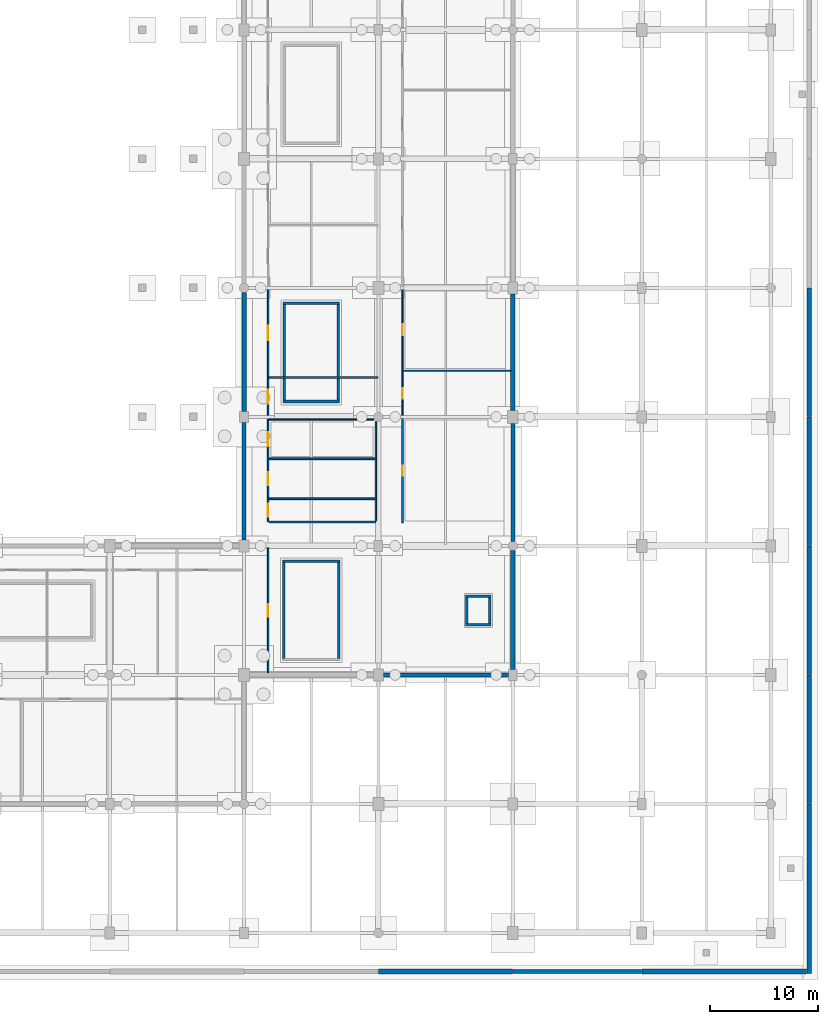
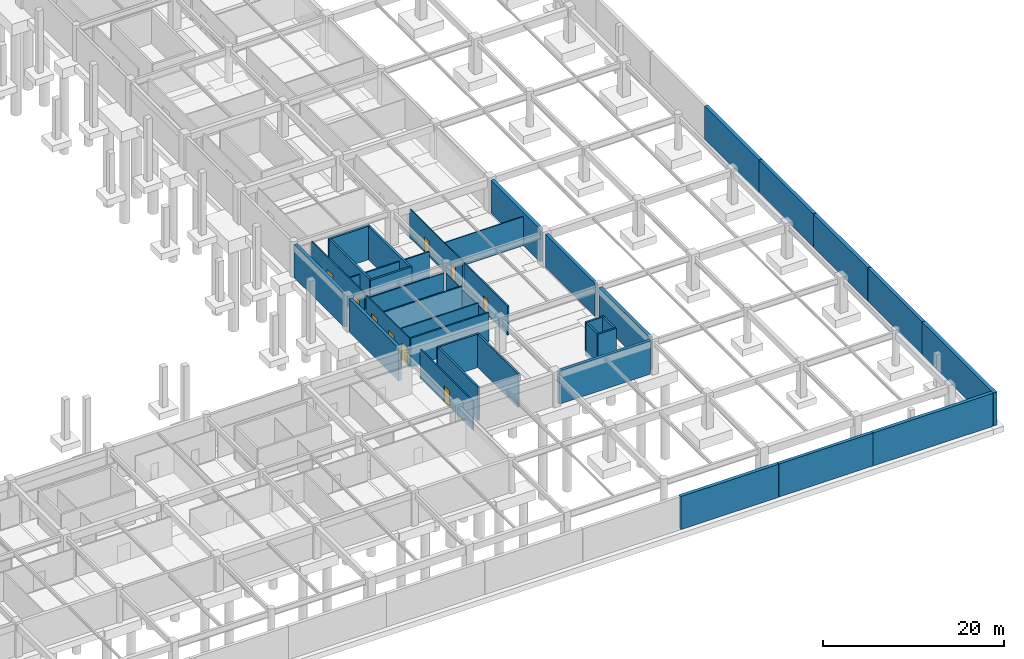
# One storey, part 31 of 56: 37 walls, 9 doors, 9 openings.
"""IFC4 building model written with IfcOpenShell, lengths in metres."""

from ifc_helpers import new_model, si_unit, direction, frame, frame_2d, origin, place, context, subcontext, project, spatial, rectangle, extrude, material, layer, layer_set, type_object, element, fill, save


model = new_model("IFC4")

# Units and contexts
model_context = context("Model", 3, precision=1e-05, world=origin(), true_north=direction((0.0, 1.0)))
body_context = subcontext(model_context, "Body", "Model", "MODEL_VIEW")
ifc_project = project(units=[si_unit("LENGTHUNIT", "METRE"), si_unit("AREAUNIT", "SQUARE_METRE"), si_unit("VOLUMEUNIT", "CUBIC_METRE"), si_unit("PLANEANGLEUNIT", "RADIAN"), si_unit("MASSUNIT", "GRAM", prefix="KILO")], contexts=[model_context])

# Site, building, storey
site_placement = place(None, origin())
site = spatial("IfcSite", under=ifc_project, at=site_placement, CompositionType="ELEMENT")
building_placement = place(site_placement, origin())
building = spatial("IfcBuilding", under=site, at=building_placement, Name="Kazenohara Klinker Stadium", CompositionType="ELEMENT")
storey_placement = place(building_placement, frame((0.0, 0.0, -4.800048828125)))
storey = spatial("IfcBuildingStorey", under=building, at=storey_placement, Name="B01", CompositionType="ELEMENT", Elevation=-4.800048828125)

# Walls
ifc_material_1 = material(Name="Concrete C40/50", Category="concrete")
ifc_layer_1 = layer(ifc_material_1, 0.39990234375)
ifc_layer_set_1 = layer_set([ifc_layer_1], Name="Concrete C40/50")
wall_type_1 = type_object("IfcWallType", Name="WAL-B01-PLINTH400", PredefinedType="USERDEFINED", material=ifc_layer_set_1)
for number, where, z_axis, x_axis, name in (
    (1, (227.580078125, 12.02001953125, 0.0), (0.0, 0.0, 1.0), (0.0, 1.0, 0.0), "Street plinth retaining wall RW04 East-02"),
    (2, (227.580078125, 36.02001953125, 0.0), (0.0, 0.0, 1.0), (0.0, 1.0, 0.0), "Street plinth retaining wall RW04 East-04"),
    (3, (200.02001953125, -3.580078125, 0.0), (0.0, 0.0, 1.0), (1.0, 0.0, 0.0), "Street plinth retaining wall RW04 South-17"),
):
    element("IfcWall", number, at=place(storey_placement, frame(where, z_axis=z_axis, x_axis=x_axis)), inside=storey, type_object=wall_type_1, Name=name, ObjectType="RETAINING WALL", PredefinedType="USERDEFINED", context=body_context, shape_type="SweptSolid", body=[
        extrude(rectangle(XDim=11.9599609375, YDim=0.39990234375, at=frame_2d((5.97998046875, 0.0))), origin(), (0.0, 0.0, 1.0), 4.4599609375),
    ])
ifc_layer_2 = layer(ifc_material_1, 0.43994140625)
ifc_layer_set_2 = layer_set([ifc_layer_2], Name="Concrete C40/50")
wall_type_2 = type_object("IfcWallType", Name="WAL-B01-PLINTH440", PredefinedType="USERDEFINED", material=ifc_layer_set_2)
wall_1_placement = place(storey_placement, frame((227.580078125, -3.780029296875, 0.0), z_axis=(0.0, 0.0, 1.0), x_axis=(0.0, 1.0, 0.0)))
element("IfcWall", 4, at=wall_1_placement, inside=storey, type_object=wall_type_2, Name="Street plinth retaining wall RW03 East-01", ObjectType="RETAINING WALL", PredefinedType="USERDEFINED", context=body_context, shape_type="SweptSolid", body=[
    extrude(rectangle(XDim=15.760009765625, YDim=0.43994140625, at=frame_2d((7.8798828125, 0.0))), origin(), (0.0, 0.0, 1.0), 4.4599609375),
])
for number, where, z_axis, x_axis, name in (
    (5, (227.580078125, 24.02001953125, 0.0), (0.0, 0.0, 1.0), (0.0, 1.0, 0.0), "Street plinth retaining wall RW03 East-03"),
    (6, (227.580078125, 48.02001953125, 0.0), (0.0, 0.0, 1.0), (0.0, 1.0, 0.0), "Street plinth retaining wall RW03 East-05"),
):
    element("IfcWall", number, at=place(storey_placement, frame(where, z_axis=z_axis, x_axis=x_axis)), inside=storey, type_object=wall_type_2, Name=name, ObjectType="RETAINING WALL", PredefinedType="USERDEFINED", context=body_context, shape_type="SweptSolid", body=[
        extrude(rectangle(XDim=11.9599609375, YDim=0.43994140625, at=frame_2d((5.97998046875, 0.0))), origin(), (0.0, 0.0, 1.0), 4.4599609375),
    ])
wall_2_placement = place(storey_placement, frame((187.52001953125, -3.580078125, 0.0), z_axis=(0.0, 0.0, 1.0), x_axis=(1.0, 0.0, 0.0)))
element("IfcWall", 7, at=wall_2_placement, inside=storey, type_object=wall_type_2, Name="Street plinth retaining wall RW03 South-16", ObjectType="RETAINING WALL", PredefinedType="USERDEFINED", context=body_context, shape_type="SweptSolid", body=[
    extrude(rectangle(XDim=12.4599609375, YDim=0.43994140625, at=frame_2d((6.22998046875, 0.0))), origin(), (0.0, 0.0, 1.0), 4.4599609375),
])
wall_3_placement = place(storey_placement, frame((212.02001953125, -3.580078125, 0.0), z_axis=(0.0, 0.0, 1.0), x_axis=(1.0, 0.0, 0.0)))
element("IfcWall", 8, at=wall_3_placement, inside=storey, type_object=wall_type_2, Name="Street plinth retaining wall RW03 South-18", ObjectType="RETAINING WALL", PredefinedType="USERDEFINED", context=body_context, shape_type="SweptSolid", body=[
    extrude(rectangle(XDim=15.300048828125, YDim=0.43994140625, at=frame_2d((7.64990234375, 0.0))), origin(), (0.0, 0.0, 1.0), 4.4599609375),
])
ifc_layer_3 = layer(ifc_material_1, 0.3798828125)
ifc_layer_set_3 = layer_set([ifc_layer_3], Name="Concrete C40/50")
wall_type_3 = type_object("IfcWallType", Name="WAL-B01-RET380", PredefinedType="STANDARD", material=ifc_layer_set_3)
wall_4_placement = place(storey_placement, frame((175.0, 36.553955078125, 0.0), z_axis=(0.0, 0.0, 1.0), x_axis=(0.0, 1.0, 0.0)))
element("IfcWall", 9, at=wall_4_placement, inside=storey, type_object=wall_type_3, Name="Basement perimeter retaining wall RW02 Y-14-03", PredefinedType="STANDARD", context=body_context, shape_type="SweptSolid", body=[
    extrude(rectangle(XDim=10.942138671875, YDim=0.3798828125, at=frame_2d((5.47119140625, 0.0))), origin(), (0.0, 0.0, 1.0), 4.4599609375),
])
wall_5_placement = place(storey_placement, frame((187.9541015625, 24.0, 0.0), z_axis=(0.0, 0.0, 1.0), x_axis=(1.0, 0.0, 0.0)))
element("IfcWall", 10, at=wall_5_placement, inside=storey, type_object=wall_type_3, Name="Basement perimeter retaining wall RW02 X-15-02", PredefinedType="STANDARD", context=body_context, shape_type="SweptSolid", body=[
    extrude(rectangle(XDim=11.641845703125, YDim=0.3798828125, at=frame_2d((5.82080078125, 0.0))), origin(), (0.0, 0.0, 1.0), 4.4599609375),
])
wall_6_placement = place(storey_placement, frame((200.0, 36.428955078125, 0.0), z_axis=(0.0, 0.0, 1.0), x_axis=(0.0, 1.0, 0.0)))
element("IfcWall", 11, at=wall_6_placement, inside=storey, type_object=wall_type_3, Name="Basement perimeter retaining wall RW02 Y-16-03", PredefinedType="STANDARD", context=body_context, shape_type="SweptSolid", body=[
    extrude(rectangle(XDim=10.967041015625, YDim=0.3798828125, at=frame_2d((5.4833984375, 0.0))), origin(), (0.0, 0.0, 1.0), 4.4599609375),
])
ifc_layer_4 = layer(ifc_material_1, 0.419921875)
ifc_layer_set_4 = layer_set([ifc_layer_4], Name="Concrete C40/50")
wall_type_4 = type_object("IfcWallType", Name="WAL-B01-RET420", PredefinedType="STANDARD", material=ifc_layer_set_4)
for number, where, z_axis, x_axis, name in (
    (12, (175.0, 48.50390625, 0.0), (0.0, 0.0, 1.0), (0.0, 1.0, 0.0), "Basement perimeter retaining wall RW01 Y-14-04"),
    (13, (200.0, 24.50390625, 0.0), (0.0, 0.0, 1.0), (0.0, 1.0, 0.0), "Basement perimeter retaining wall RW01 Y-16-02"),
):
    element("IfcWall", number, at=place(storey_placement, frame(where, z_axis=z_axis, x_axis=x_axis)), inside=storey, type_object=wall_type_4, Name=name, PredefinedType="STANDARD", context=body_context, shape_type="SweptSolid", body=[
        extrude(rectangle(XDim=11.067138671875, YDim=0.419921875, at=frame_2d((5.53369140625, 0.0))), origin(), (0.0, 0.0, 1.0), 4.4599609375),
    ])
wall_7_placement = place(storey_placement, frame((200.0, 48.60400390625, 0.0), z_axis=(0.0, 0.0, 1.0), x_axis=(0.0, 1.0, 0.0)))
element("IfcWall", 14, at=wall_7_placement, inside=storey, type_object=wall_type_4, Name="Basement perimeter retaining wall RW01 Y-16-04", PredefinedType="STANDARD", context=body_context, shape_type="SweptSolid", body=[
    extrude(rectangle(XDim=10.842041015625, YDim=0.419921875, at=frame_2d((5.4208984375, 0.0))), origin(), (0.0, 0.0, 1.0), 4.4599609375),
])
ifc_layer_5 = layer(ifc_material_1, 0.22998046875)
ifc_layer_set_5 = layer_set([ifc_layer_5], Name="Concrete C40/50")
wall_type_5 = type_object("IfcWallType", Name="WAL-CORE-230", PredefinedType="SHEAR", material=ifc_layer_set_5)
wall_8_placement = place(storey_placement, frame((178.590087890625, 34.56494140625, 0.0), z_axis=(0.0, 0.0, 1.0), x_axis=(1.0, 0.0, 0.0)))
element("IfcWall", 15, at=wall_8_placement, inside=storey, type_object=wall_type_5, Name="Stairwell shear wall ST16 B01 North", PredefinedType="SHEAR", context=body_context, shape_type="SweptSolid", body=[
    extrude(rectangle(XDim=5.31982421875, YDim=0.22998046875, at=frame_2d((2.659912109375, 0.0))), origin(), (0.0, 0.0, 1.0), 4.5),
])
for number, where, z_axis, x_axis, name in (
    (16, (178.705078125, 25.550048828125, 0.0), (0.0, 0.0, 1.0), (0.0, 1.0, 0.0), "Stairwell shear wall ST16 B01 West"),
    (17, (183.794921875, 25.550048828125, 0.0), (0.0, 0.0, 1.0), (0.0, 1.0, 0.0), "Stairwell shear wall ST16 B01 East"),
):
    element("IfcWall", number, at=place(storey_placement, frame(where, z_axis=z_axis, x_axis=x_axis)), inside=storey, type_object=wall_type_5, Name=name, PredefinedType="SHEAR", context=body_context, shape_type="SweptSolid", body=[
        extrude(rectangle(XDim=8.89990234375, YDim=0.22998046875, at=frame_2d((4.449951171875, 0.0))), origin(), (0.0, 0.0, 1.0), 4.5),
    ])
for number, where, z_axis, x_axis, name in (
    (18, (195.6201171875, 28.68505859375, -0.64990234375), (0.0, 0.0, 1.0), (1.0, 0.0, 0.0), "Elevator shaft wall LP06 B01 South"),
    (19, (195.6201171875, 31.31494140625, -0.64990234375), (0.0, 0.0, 1.0), (1.0, 0.0, 0.0), "Elevator shaft wall LP06 B01 North"),
):
    element("IfcWall", number, at=place(storey_placement, frame(where, z_axis=z_axis, x_axis=x_axis)), inside=storey, type_object=wall_type_5, Name=name, PredefinedType="SHEAR", context=body_context, shape_type="SweptSolid", body=[
        extrude(rectangle(XDim=2.35986328125, YDim=0.22998046875, at=frame_2d((1.179931640625, 0.0))), origin(), (0.0, 0.0, 1.0), 4.5),
    ])
for number, where, z_axis, x_axis, name in (
    (20, (195.735107421875, 28.800048828125, -0.64990234375), (0.0, 0.0, 1.0), (0.0, 1.0, 0.0), "Elevator shaft wall LP06 B01 West"),
    (21, (197.864990234375, 28.800048828125, -0.64990234375), (0.0, 0.0, 1.0), (0.0, 1.0, 0.0), "Elevator shaft wall LP06 B01 East"),
):
    element("IfcWall", number, at=place(storey_placement, frame(where, z_axis=z_axis, x_axis=x_axis)), inside=storey, type_object=wall_type_5, Name=name, PredefinedType="SHEAR", context=body_context, shape_type="SweptSolid", body=[
        extrude(rectangle(XDim=2.39990234375, YDim=0.22998046875, at=frame_2d((1.199951171875, 0.0))), origin(), (0.0, 0.0, 1.0), 4.5),
    ])
ifc_layer_6 = layer(ifc_material_1, 0.25)
ifc_layer_set_6 = layer_set([ifc_layer_6], Name="Concrete C40/50")
wall_type_6 = type_object("IfcWallType", Name="WAL-CORE-250", PredefinedType="SHEAR", material=ifc_layer_set_6)
for number, where, z_axis, x_axis, name in (
    (22, (178.610107421875, 49.425048828125, 0.0), (0.0, 0.0, 1.0), (1.0, 0.0, 0.0), "Stairwell shear wall ST21 B01 South"),
    (23, (178.610107421875, 58.574951171875, 0.0), (0.0, 0.0, 1.0), (1.0, 0.0, 0.0), "Stairwell shear wall ST21 B01 North"),
):
    element("IfcWall", number, at=place(storey_placement, frame(where, z_axis=z_axis, x_axis=x_axis)), inside=storey, type_object=wall_type_6, Name=name, PredefinedType="SHEAR", context=body_context, shape_type="SweptSolid", body=[
        extrude(rectangle(XDim=5.27978515625, YDim=0.25, at=frame_2d((2.639892578125, 0.0))), origin(), (0.0, 0.0, 1.0), 4.5),
    ])
for number, where, z_axis, x_axis, name in (
    (24, (178.735107421875, 49.550048828125, 0.0), (0.0, 0.0, 1.0), (0.0, 1.0, 0.0), "Stairwell shear wall ST21 B01 West"),
    (25, (183.764892578125, 49.550048828125, 0.0), (0.0, 0.0, 1.0), (0.0, 1.0, 0.0), "Stairwell shear wall ST21 B01 East"),
):
    element("IfcWall", number, at=place(storey_placement, frame(where, z_axis=z_axis, x_axis=x_axis)), inside=storey, type_object=wall_type_6, Name=name, PredefinedType="SHEAR", context=body_context, shape_type="SweptSolid", body=[
        extrude(rectangle(XDim=8.89990234375, YDim=0.25, at=frame_2d((4.449951171875, 0.0))), origin(), (0.0, 0.0, 1.0), 4.5),
    ])
ifc_material_2 = material(Name="Fire-rated gypsum board on acoustic studs", Category="gypsum")
ifc_layer_7 = layer(ifc_material_2, 0.110107421875)
ifc_layer_set_7 = layer_set([ifc_layer_7], Name="Fire-rated gypsum board on acoustic studs")
wall_type_7 = type_object("IfcWallType", Name="WAL-INT-P110", PredefinedType="PARTITIONING", material=ifc_layer_set_7)
wall_9_placement = place(storey_placement, frame((177.31494140625, 47.760009765625, 0.0), z_axis=(0.0, 0.0, 1.0), x_axis=(1.0, 0.0, 0.0)))
element("IfcWall", 26, at=wall_9_placement, inside=storey, type_object=wall_type_7, Name="Interior partition wall PT01 SPC-B01-14-03-1-2", PredefinedType="PARTITIONING", context=body_context, shape_type="SweptSolid", body=[
    extrude(rectangle(XDim=9.756103515625, YDim=0.110107421875, at=frame_2d((4.8779296875, 0.0))), origin(), (0.0, 0.0, 1.0), 3.52001953125),
])

# Wall, openings, doors
wall_10_placement = place(storey_placement, frame((189.739990234375, 48.159912109375, 0.0), z_axis=(0.0, 0.0, 1.0), x_axis=(0.0, 1.0, 0.0)))
wall_10 = element("IfcWall", 27, at=wall_10_placement, inside=storey, type_object=wall_type_7, Name="Interior partition wall PT01 SPC-B01-15-04-1-1", PredefinedType="PARTITIONING", context=body_context, shape_type="SweptSolid", body=[
    extrude(rectangle(XDim=11.68017578125, YDim=0.110107421875, at=frame_2d((5.840087890625, 0.0))), origin(), (0.0, 0.0, 1.0), 3.920166015625),
])
opening_1_placement = place(wall_10_placement, frame((2.517333984375, 0.0, 0.0), z_axis=(0.0, 0.0, 1.0), x_axis=(-1.0, 0.0, 0.0)))
opening_1 = element("IfcOpeningElement", 28, at=opening_1_placement, cuts=wall_10, Name="Opening ID04", PredefinedType="OPENING", context=body_context, shape_type="SweptSolid", body=[
    extrude(rectangle(XDim=0.97998046875, YDim=2.10009765625, at=frame_2d((0.489990234375, 1.050048828125))), frame((0.0, 0.06494140625, 0.0), z_axis=(0.0, -1.0, 0.0), x_axis=(1.0, 0.0, 0.0)), (0.0, 0.0, 1.0), 0.130126953125),
])
opening_2_placement = place(wall_10_placement, frame((8.447265625, 0.0, 0.0), z_axis=(0.0, 0.0, 1.0), x_axis=(-1.0, 0.0, 0.0)))
opening_2 = element("IfcOpeningElement", 29, at=opening_2_placement, cuts=wall_10, Name="Opening ID05", PredefinedType="OPENING", context=body_context, shape_type="SweptSolid", body=[
    extrude(rectangle(XDim=1.0, YDim=2.139892578125, at=frame_2d((0.5, 1.06982421875))), frame((0.0, 0.06494140625, 0.0), z_axis=(0.0, -1.0, 0.0), x_axis=(1.0, 0.0, 0.0)), (0.0, 0.0, 1.0), 0.130126953125),
])
ifc_material_3 = material(Name="Solid-core Hokkaido oak fire door", Category="wood")
door_type_1 = type_object("IfcDoorType", Name="DR-INT-04", OperationType="NOTDEFINED", PredefinedType="DOOR", material=ifc_material_3)
door_1_placement = place(opening_1_placement, origin())
door_1 = element("IfcDoor", 30, at=door_1_placement, inside=storey, type_object=door_type_1, Name="Interior door ID04 Snow-Melt Hydronic Chiller Plant B01-1504A", OperationType="SINGLE_SWING_LEFT", OverallHeight=2.10009765625, OverallWidth=0.97998046875, PredefinedType="DOOR", context=body_context, shape_type="SweptSolid", body=[
    extrude(rectangle(XDim=0.97998046875, YDim=2.10009765625, at=frame_2d((0.489990234375, 1.050048828125))), frame((0.0, 0.02490234375, 0.0), z_axis=(0.0, -1.0, 0.0), x_axis=(1.0, 0.0, 0.0)), (0.0, 0.0, 1.0), 0.050048828125),
])
fill(opening_1, door_1)
door_type_2 = type_object("IfcDoorType", Name="DR-INT-05", OperationType="NOTDEFINED", PredefinedType="DOOR", material=ifc_material_3)
door_2_placement = place(opening_2_placement, origin())
door_2 = element("IfcDoor", 31, at=door_2_placement, inside=storey, type_object=door_type_2, Name="Interior door ID05 Visiting-Club Athlete Changing Room B01-1504B", OperationType="SINGLE_SWING_RIGHT", OverallHeight=2.139892578125, OverallWidth=1.0, PredefinedType="DOOR", context=body_context, shape_type="SweptSolid", body=[
    extrude(rectangle(XDim=1.0, YDim=2.139892578125, at=frame_2d((0.5, 1.06982421875))), frame((0.0, 0.02490234375, 0.0), z_axis=(0.0, -1.0, 0.0), x_axis=(1.0, 0.0, 0.0)), (0.0, 0.0, 1.0), 0.050048828125),
])
fill(opening_2, door_2)

# Walls
ifc_layer_8 = layer(ifc_material_2, 0.1201171875)
ifc_layer_set_8 = layer_set([ifc_layer_8], Name="Fire-rated gypsum board on acoustic studs")
wall_type_8 = type_object("IfcWallType", Name="WAL-INT-P120", PredefinedType="PARTITIONING", material=ifc_layer_set_8)
wall_11_placement = place(storey_placement, frame((187.260009765625, 38.340087890625, 0.0), z_axis=(0.0, 0.0, 1.0), x_axis=(0.0, 1.0, 0.0)))
element("IfcWall", 32, at=wall_11_placement, inside=storey, type_object=wall_type_8, Name="Interior partition wall PT02 SPC-B01-14-03-1-3", PredefinedType="PARTITIONING", context=body_context, shape_type="SweptSolid", body=[
    extrude(rectangle(XDim=9.23095703125, YDim=0.1201171875, at=frame_2d((4.615478515625, 0.0))), origin(), (0.0, 0.0, 1.0), 3.52001953125),
])
wall_12_placement = place(storey_placement, frame((189.800048828125, 52.294677734375, 0.0), z_axis=(0.0, 0.0, 1.0), x_axis=(1.0, 0.0, 0.0)))
element("IfcWall", 33, at=wall_12_placement, inside=storey, type_object=wall_type_8, Name="Interior partition wall PT02 SPC-B01-15-04-1-2", PredefinedType="PARTITIONING", context=body_context, shape_type="SweptSolid", body=[
    extrude(rectangle(XDim=9.988037109375, YDim=0.1201171875, at=frame_2d((4.994140625, 0.0))), origin(), (0.0, 0.0, 1.0), 3.920166015625),
])

# Wall, opening, door
ifc_layer_9 = layer(ifc_material_2, 0.139892578125)
ifc_layer_set_9 = layer_set([ifc_layer_9], Name="Fire-rated gypsum board on acoustic studs")
wall_type_9 = type_object("IfcWallType", Name="WAL-INT-P140", PredefinedType="PARTITIONING", material=ifc_layer_set_9)
wall_13_placement = place(storey_placement, frame((177.239990234375, 24.2119140625, 0.0), z_axis=(0.0, 0.0, 1.0), x_axis=(0.0, 1.0, 0.0)))
wall_13 = element("IfcWall", 34, at=wall_13_placement, inside=storey, type_object=wall_type_9, Name="Interior partition wall PT03 SPC-B01-14-02-1-1", PredefinedType="PARTITIONING", context=body_context, shape_type="SweptSolid", body=[
    extrude(rectangle(XDim=11.628173828125, YDim=0.139892578125, at=frame_2d((5.81396484375, 0.0))), origin(), (0.0, 0.0, 1.0), 3.920166015625),
])
opening_3_placement = place(wall_13_placement, frame((6.3779296875, 0.0, 0.0), z_axis=(0.0, 0.0, 1.0), x_axis=(-1.0, 0.0, 0.0)))
opening_3 = element("IfcOpeningElement", 35, at=opening_3_placement, cuts=wall_13, Name="Opening ID11", PredefinedType="OPENING", context=body_context, shape_type="SweptSolid", body=[
    extrude(rectangle(XDim=1.179931640625, YDim=2.199951171875, at=frame_2d((0.58984375, 1.10009765625))), frame((0.0, 0.080078125, 0.0), z_axis=(0.0, -1.0, 0.0), x_axis=(1.0, 0.0, 0.0)), (0.0, 0.0, 1.0), 0.159912109375),
])
door_type_3 = type_object("IfcDoorType", Name="DR-INT-11", OperationType="NOTDEFINED", PredefinedType="DOOR", material=ifc_material_3)
door_3_placement = place(opening_3_placement, origin())
door_3 = element("IfcDoor", 36, at=door_3_placement, inside=storey, type_object=door_type_3, Name="Interior door ID11 Sports Hydrotherapy Recovery Clinic B01-1402A", OperationType="SINGLE_SWING_RIGHT", OverallHeight=2.199951171875, OverallWidth=1.179931640625, PredefinedType="DOOR", context=body_context, shape_type="SweptSolid", body=[
    extrude(rectangle(XDim=1.179931640625, YDim=2.199951171875, at=frame_2d((0.58984375, 1.10009765625))), frame((0.0, 0.02490234375, 0.0), z_axis=(0.0, -1.0, 0.0), x_axis=(1.0, 0.0, 0.0)), (0.0, 0.0, 1.0), 0.050048828125),
])
fill(opening_3, door_3)

# Wall, openings, doors
wall_14_placement = place(storey_placement, frame((177.239990234375, 38.239990234375, 0.0), z_axis=(0.0, 0.0, 1.0), x_axis=(0.0, 1.0, 0.0)))
wall_14 = element("IfcWall", 37, at=wall_14_placement, inside=storey, type_object=wall_type_9, Name="Interior partition wall PT03 SPC-B01-14-03-1-4", PredefinedType="PARTITIONING", context=body_context, shape_type="SweptSolid", body=[
    extrude(rectangle(XDim=9.52001953125, YDim=0.139892578125, at=frame_2d((4.760009765625, 0.0))), origin(), (0.0, 0.0, 1.0), 3.920166015625),
])
opening_4_placement = place(wall_14_placement, frame((1.690185546875, 0.0, 0.0), z_axis=(0.0, 0.0, 1.0), x_axis=(-1.0, 0.0, 0.0)))
opening_4 = element("IfcOpeningElement", 38, at=opening_4_placement, cuts=wall_14, Name="Opening ID12", PredefinedType="OPENING", context=body_context, shape_type="SweptSolid", body=[
    extrude(rectangle(XDim=1.2099609375, YDim=2.179931640625, at=frame_2d((0.60498046875, 1.08984375))), frame((0.0, 0.080078125, 0.0), z_axis=(0.0, -1.0, 0.0), x_axis=(1.0, 0.0, 0.0)), (0.0, 0.0, 1.0), 0.159912109375),
])
opening_5_placement = place(wall_14_placement, frame((4.627685546875, 0.0, 0.0), z_axis=(0.0, 0.0, 1.0), x_axis=(-1.0, 0.0, 0.0)))
opening_5 = element("IfcOpeningElement", 39, at=opening_5_placement, cuts=wall_14, Name="Opening ID13", PredefinedType="OPENING", context=body_context, shape_type="SweptSolid", body=[
    extrude(rectangle(XDim=1.239990234375, YDim=2.219970703125, at=frame_2d((0.6201171875, 1.10986328125))), frame((0.0, 0.080078125, 0.0), z_axis=(0.0, -1.0, 0.0), x_axis=(1.0, 0.0, 0.0)), (0.0, 0.0, 1.0), 0.159912109375),
])
opening_6_placement = place(wall_14_placement, frame((8.317626953125, 0.0, 0.0), z_axis=(0.0, 0.0, 1.0), x_axis=(-1.0, 0.0, 0.0)))
opening_6 = element("IfcOpeningElement", 40, at=opening_6_placement, cuts=wall_14, Name="Opening ID14", PredefinedType="OPENING", context=body_context, shape_type="SweptSolid", body=[
    extrude(rectangle(XDim=1.27001953125, YDim=2.199951171875, at=frame_2d((0.635009765625, 1.10009765625))), frame((0.0, 0.080078125, 0.0), z_axis=(0.0, -1.0, 0.0), x_axis=(1.0, 0.0, 0.0)), (0.0, 0.0, 1.0), 0.159912109375),
])
door_type_4 = type_object("IfcDoorType", Name="DR-INT-12", OperationType="NOTDEFINED", PredefinedType="DOOR", material=ifc_material_3)
door_4_placement = place(opening_4_placement, origin())
door_4 = element("IfcDoor", 41, at=door_4_placement, inside=storey, type_object=door_type_4, Name="Interior door ID12 Accessible Water Closet Restroom B01-1403A", OperationType="SINGLE_SWING_LEFT", OverallHeight=2.179931640625, OverallWidth=1.2099609375, PredefinedType="DOOR", context=body_context, shape_type="SweptSolid", body=[
    extrude(rectangle(XDim=1.2099609375, YDim=2.179931640625, at=frame_2d((0.60498046875, 1.08984375))), frame((0.0, 0.02490234375, 0.0), z_axis=(0.0, -1.0, 0.0), x_axis=(1.0, 0.0, 0.0)), (0.0, 0.0, 1.0), 0.050048828125),
])
fill(opening_4, door_4)
door_type_5 = type_object("IfcDoorType", Name="DR-INT-13", OperationType="NOTDEFINED", PredefinedType="DOOR", material=ifc_material_3)
door_5_placement = place(opening_5_placement, origin())
door_5 = element("IfcDoor", 42, at=door_5_placement, inside=storey, type_object=door_type_5, Name="Interior door ID13 Water Closet Restroom Male B01-1403B", OperationType="SINGLE_SWING_RIGHT", OverallHeight=2.219970703125, OverallWidth=1.239990234375, PredefinedType="DOOR", context=body_context, shape_type="SweptSolid", body=[
    extrude(rectangle(XDim=1.239990234375, YDim=2.219970703125, at=frame_2d((0.6201171875, 1.10986328125))), frame((0.0, 0.02490234375, 0.0), z_axis=(0.0, -1.0, 0.0), x_axis=(1.0, 0.0, 0.0)), (0.0, 0.0, 1.0), 0.050048828125),
])
fill(opening_5, door_5)
door_type_6 = type_object("IfcDoorType", Name="DR-INT-14", OperationType="NOTDEFINED", PredefinedType="DOOR", material=ifc_material_3)
door_6_placement = place(opening_6_placement, origin())
door_6 = element("IfcDoor", 43, at=door_6_placement, inside=storey, type_object=door_type_6, Name="Interior door ID14 Water Closet Restroom Female B01-1403C", OperationType="SINGLE_SWING_LEFT", OverallHeight=2.199951171875, OverallWidth=1.27001953125, PredefinedType="DOOR", context=body_context, shape_type="SweptSolid", body=[
    extrude(rectangle(XDim=1.27001953125, YDim=2.199951171875, at=frame_2d((0.635009765625, 1.10009765625))), frame((0.0, 0.02490234375, 0.0), z_axis=(0.0, -1.0, 0.0), x_axis=(1.0, 0.0, 0.0)), (0.0, 0.0, 1.0), 0.050048828125),
])
fill(opening_6, door_6)

# Wall
ifc_layer_10 = layer(ifc_material_2, 0.14990234375)
ifc_layer_set_10 = layer_set([ifc_layer_10], Name="Fire-rated gypsum board on acoustic studs")
wall_type_10 = type_object("IfcWallType", Name="WAL-INT-P150", PredefinedType="PARTITIONING", material=ifc_layer_set_10)
wall_15_placement = place(storey_placement, frame((177.31494140625, 40.390380859375, 0.0), z_axis=(0.0, 0.0, 1.0), x_axis=(1.0, 0.0, 0.0)))
element("IfcWall", 44, at=wall_15_placement, inside=storey, type_object=wall_type_10, Name="Interior partition wall PT04 SPC-B01-14-03-1-5", PredefinedType="PARTITIONING", context=body_context, shape_type="SweptSolid", body=[
    extrude(rectangle(XDim=9.880126953125, YDim=0.14990234375, at=frame_2d((4.93994140625, 0.0))), origin(), (0.0, 0.0, 1.0), 3.920166015625),
])

# Wall, openings, doors
wall_16_placement = place(storey_placement, frame((177.239990234375, 48.159912109375, 0.0), z_axis=(0.0, 0.0, 1.0), x_axis=(0.0, 1.0, 0.0)))
wall_16 = element("IfcWall", 45, at=wall_16_placement, inside=storey, type_object=wall_type_10, Name="Interior partition wall PT04 SPC-B01-14-04-1-1", PredefinedType="PARTITIONING", context=body_context, shape_type="SweptSolid", body=[
    extrude(rectangle(XDim=11.68017578125, YDim=0.14990234375, at=frame_2d((5.840087890625, 0.0))), origin(), (0.0, 0.0, 1.0), 3.920166015625),
])
opening_7_placement = place(wall_16_placement, frame((2.362060546875, 0.0, 0.0), z_axis=(0.0, 0.0, 1.0), x_axis=(-1.0, 0.0, 0.0)))
opening_7 = element("IfcOpeningElement", 46, at=opening_7_placement, cuts=wall_16, Name="Opening ID15", PredefinedType="OPENING", context=body_context, shape_type="SweptSolid", body=[
    extrude(rectangle(XDim=1.300048828125, YDim=2.239990234375, at=frame_2d((0.64990234375, 1.1201171875))), frame((0.0, 0.0849609375, 0.0), z_axis=(0.0, -1.0, 0.0), x_axis=(1.0, 0.0, 0.0)), (0.0, 0.0, 1.0), 0.169921875),
])
opening_8_placement = place(wall_16_placement, frame((8.297119140625, 0.0, 0.0), z_axis=(0.0, 0.0, 1.0), x_axis=(-1.0, 0.0, 0.0)))
opening_8 = element("IfcOpeningElement", 47, at=opening_8_placement, cuts=wall_16, Name="Opening ID16", PredefinedType="OPENING", context=body_context, shape_type="SweptSolid", body=[
    extrude(rectangle(XDim=1.330078125, YDim=2.219970703125, at=frame_2d((0.6650390625, 1.10986328125))), frame((0.0, 0.0849609375, 0.0), z_axis=(0.0, -1.0, 0.0), x_axis=(1.0, 0.0, 0.0)), (0.0, 0.0, 1.0), 0.169921875),
])
door_type_7 = type_object("IfcDoorType", Name="DR-INT-15", OperationType="NOTDEFINED", PredefinedType="DOOR", material=ifc_material_3)
door_7_placement = place(opening_7_placement, origin())
door_7 = element("IfcDoor", 48, at=door_7_placement, inside=storey, type_object=door_type_7, Name="Interior door ID15 Electrical Switchgear Plant B01-1404A", OperationType="SINGLE_SWING_RIGHT", OverallHeight=2.239990234375, OverallWidth=1.300048828125, PredefinedType="DOOR", context=body_context, shape_type="SweptSolid", body=[
    extrude(rectangle(XDim=1.300048828125, YDim=2.239990234375, at=frame_2d((0.64990234375, 1.1201171875))), frame((0.0, 0.02490234375, 0.0), z_axis=(0.0, -1.0, 0.0), x_axis=(1.0, 0.0, 0.0)), (0.0, 0.0, 1.0), 0.050048828125),
])
fill(opening_7, door_7)
door_type_8 = type_object("IfcDoorType", Name="DR-INT-16", OperationType="NOTDEFINED", PredefinedType="DOOR", material=ifc_material_3)
door_8_placement = place(opening_8_placement, origin())
door_8 = element("IfcDoor", 49, at=door_8_placement, inside=storey, type_object=door_type_8, Name="Interior door ID16 Indoor Turf Sprint Training Arena B01-1404B", OperationType="SINGLE_SWING_LEFT", OverallHeight=2.219970703125, OverallWidth=1.330078125, PredefinedType="DOOR", context=body_context, shape_type="SweptSolid", body=[
    extrude(rectangle(XDim=1.330078125, YDim=2.219970703125, at=frame_2d((0.6650390625, 1.10986328125))), frame((0.0, 0.02490234375, 0.0), z_axis=(0.0, -1.0, 0.0), x_axis=(1.0, 0.0, 0.0)), (0.0, 0.0, 1.0), 0.050048828125),
])
fill(opening_8, door_8)

# Walls
ifc_layer_11 = layer(ifc_material_2, 0.169921875)
ifc_layer_set_11 = layer_set([ifc_layer_11], Name="Fire-rated gypsum board on acoustic studs")
wall_type_11 = type_object("IfcWallType", Name="WAL-INT-P170", PredefinedType="PARTITIONING", material=ifc_layer_set_11)
wall_17_placement = place(storey_placement, frame((177.31494140625, 44.105224609375, 0.0), z_axis=(0.0, 0.0, 1.0), x_axis=(1.0, 0.0, 0.0)))
element("IfcWall", 50, at=wall_17_placement, inside=storey, type_object=wall_type_11, Name="Interior partition wall PT05 SPC-B01-14-03-1-6", PredefinedType="PARTITIONING", context=body_context, shape_type="SweptSolid", body=[
    extrude(rectangle(XDim=9.880126953125, YDim=0.169921875, at=frame_2d((4.93994140625, 0.0))), origin(), (0.0, 0.0, 1.0), 3.920166015625),
])
wall_18_placement = place(storey_placement, frame((177.320068359375, 51.6640625, 0.0), z_axis=(0.0, 0.0, 1.0), x_axis=(1.0, 0.0, 0.0)))
element("IfcWall", 51, at=wall_18_placement, inside=storey, type_object=wall_type_11, Name="Interior partition wall PT05 SPC-B01-14-04-1-2", PredefinedType="PARTITIONING", context=body_context, shape_type="SweptSolid", body=[
    extrude(rectangle(XDim=10.099853515625, YDim=0.169921875, at=frame_2d((5.0498046875, 0.0))), origin(), (0.0, 0.0, 1.0), 3.920166015625),
])

# Wall, opening, door
wall_19_placement = place(storey_placement, frame((189.739990234375, 38.169921875, 0.0), z_axis=(0.0, 0.0, 1.0), x_axis=(0.0, 1.0, 0.0)))
wall_19 = element("IfcWall", 52, at=wall_19_placement, inside=storey, type_object=wall_type_11, Name="Interior partition wall PT05 SPC-B01-15-03-1-1", PredefinedType="PARTITIONING", context=body_context, shape_type="SweptSolid", body=[
    extrude(rectangle(XDim=9.670166015625, YDim=0.169921875, at=frame_2d((4.8349609375, 0.0))), origin(), (0.0, 0.0, 1.0), 3.920166015625),
])
opening_9_placement = place(wall_19_placement, frame((5.31005859375, 0.0, 0.0), z_axis=(0.0, 0.0, 1.0), x_axis=(-1.0, 0.0, 0.0)))
opening_9 = element("IfcOpeningElement", 53, at=opening_9_placement, cuts=wall_19, Name="Opening ID03", PredefinedType="OPENING", context=body_context, shape_type="SweptSolid", body=[
    extrude(rectangle(XDim=0.949951171875, YDim=2.1201171875, at=frame_2d((0.47509765625, 1.06005859375))), frame((0.0, 0.094970703125, 0.0), z_axis=(0.0, -1.0, 0.0), x_axis=(1.0, 0.0, 0.0)), (0.0, 0.0, 1.0), 0.18994140625),
])
door_type_9 = type_object("IfcDoorType", Name="DR-INT-03", OperationType="NOTDEFINED", PredefinedType="DOOR", material=ifc_material_3)
door_9_placement = place(opening_9_placement, origin())
door_9 = element("IfcDoor", 54, at=door_9_placement, inside=storey, type_object=door_type_9, Name="Interior door ID03 Doping Control Medical Laboratory B01-1503A", OperationType="SINGLE_SWING_RIGHT", OverallHeight=2.1201171875, OverallWidth=0.949951171875, PredefinedType="DOOR", context=body_context, shape_type="SweptSolid", body=[
    extrude(rectangle(XDim=0.949951171875, YDim=2.1201171875, at=frame_2d((0.47509765625, 1.06005859375))), frame((0.0, 0.02490234375, 0.0), z_axis=(0.0, -1.0, 0.0), x_axis=(1.0, 0.0, 0.0)), (0.0, 0.0, 1.0), 0.050048828125),
])
fill(opening_9, door_9)

# Wall
ifc_layer_12 = layer(ifc_material_2, 0.18994140625)
ifc_layer_set_12 = layer_set([ifc_layer_12], Name="Fire-rated gypsum board on acoustic studs")
wall_type_12 = type_object("IfcWallType", Name="WAL-INT-P190", PredefinedType="PARTITIONING", material=ifc_layer_set_12)
wall_20_placement = place(storey_placement, frame((177.31494140625, 38.239990234375, 0.0), z_axis=(0.0, 0.0, 1.0), x_axis=(1.0, 0.0, 0.0)))
element("IfcWall", 55, at=wall_20_placement, inside=storey, type_object=wall_type_12, Name="Interior partition wall PT06 SPC-B01-14-03-1-1", PredefinedType="PARTITIONING", context=body_context, shape_type="SweptSolid", body=[
    extrude(rectangle(XDim=9.945068359375, YDim=0.18994140625, at=frame_2d((4.97265625, 0.0))), origin(), (0.0, 0.0, 1.0), 3.920166015625),
])

save(model, "model.ifc")
